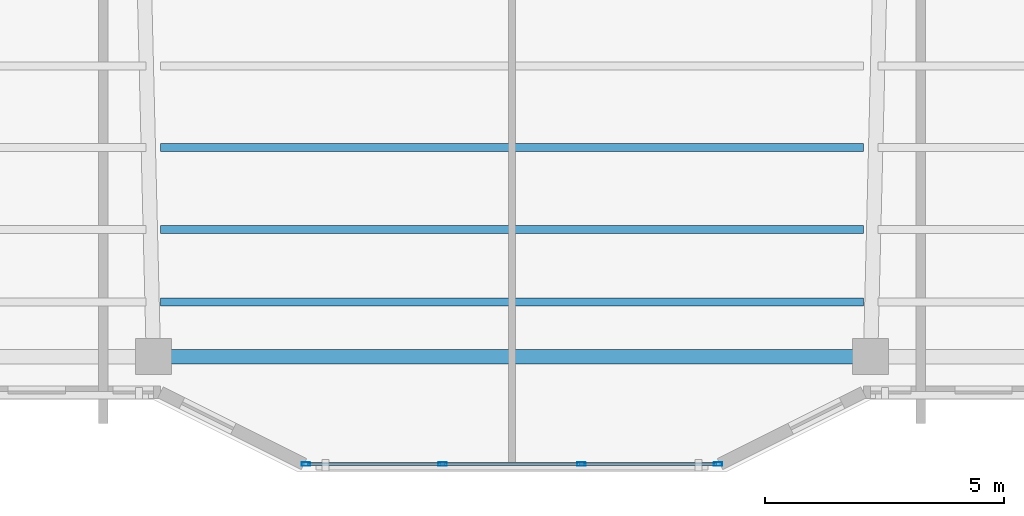
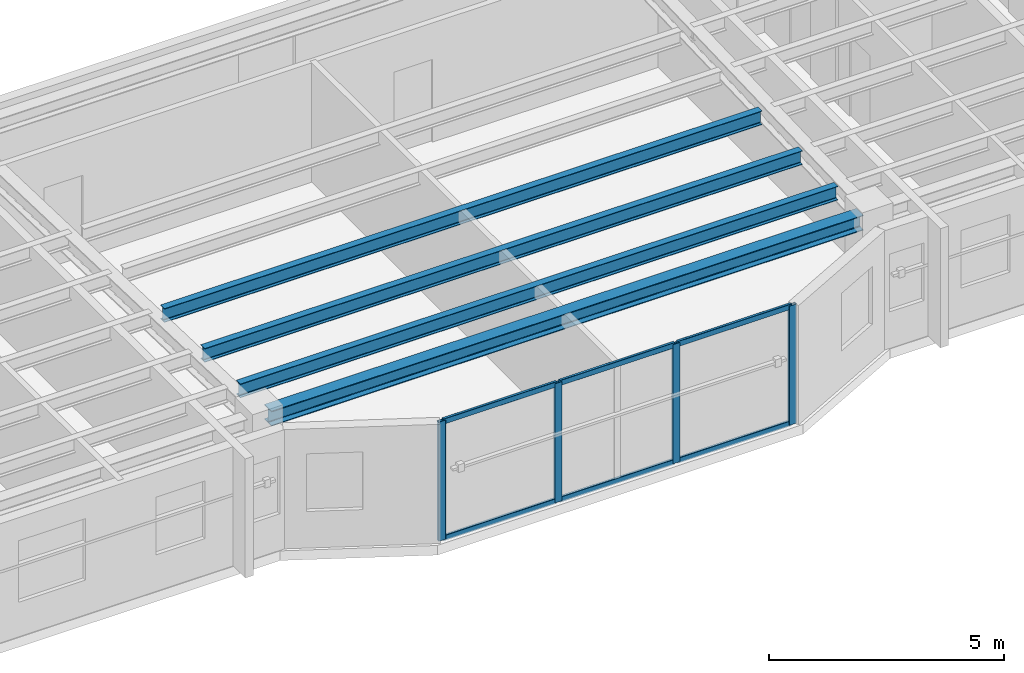
# One storey, part 2 of 13: 10 members, 4 beams, 1 element without a shape of its own.
"""IFC4 building model written with IfcOpenShell, lengths in metres."""

import ifcopenshell
import ifcopenshell.guid

model = None  # the IFC model being written
_history = None  # IfcOwnerHistory: only IFC2X3 demands one
_inside = {}  # id of a spatial element -> (the spatial element, [elements in it])
_under = {}  # id of a project, library or spatial element -> (it, [spatial elements below it])
_declared = {}  # id of a project -> (the project, [libraries it declares])
_typed = {}  # id of a type object -> (the type object, [elements of that type])
_made_of = {}  # id of a material, layer set ... -> (it, [elements and type objects made of it])


def new_model(schema):
    """Start an empty IFC model of exactly this schema.

    Asked for "IFC4X3", IfcOpenShell would pick the latest addendum, in which some entities
    have other attributes; the version numbers below select the first issue.
    IFC2X3 requires an IfcOwnerHistory on every rooted entity: one is made here for all.
    """
    global model, _history
    if schema == "IFC4X3":
        model = ifcopenshell.file(schema_version=(4, 3, 0, 0))
    else:
        model = ifcopenshell.file(schema=schema)
    _inside.clear()
    _under.clear()
    _declared.clear()
    _typed.clear()
    _made_of.clear()
    _history = None
    if model.schema == "IFC2X3":
        org = make("IfcOrganization", Name="unknown")
        user = make(
            "IfcPersonAndOrganization",
            ThePerson=make("IfcPerson", FamilyName="unknown"),
            TheOrganization=org,
        )
        app = make(
            "IfcApplication",
            ApplicationDeveloper=org,
            Version="unknown",
            ApplicationFullName="unknown",
            ApplicationIdentifier="unknown",
        )
        _history = make(
            "IfcOwnerHistory",
            OwningUser=user,
            OwningApplication=app,
            ChangeAction="ADDED",
            CreationDate=0,
        )
    return model


def make(cls, **values):
    """One entity of the class cls with the attributes given. An attribute that is None is left unset."""
    return model.create_entity(
        cls, **{name: value for name, value in values.items() if value is not None}
    )


def rooted(cls, **values):
    """An entity with a GlobalId (a new one), such as an element, a storey or a relation."""
    return make(cls, GlobalId=ifcopenshell.guid.new(), OwnerHistory=_history, **values)


def si_unit(unit_type, name, prefix=None):
    """IfcSIUnit, for example si_unit("LENGTHUNIT", "METRE", prefix="MILLI")."""
    return make("IfcSIUnit", UnitType=unit_type, Prefix=prefix, Name=name)


def assignment(units):
    """IfcUnitAssignment: the units of a project."""
    return None if units is None else make("IfcUnitAssignment", Units=units)


def point(xyz):
    """IfcCartesianPoint."""
    return None if xyz is None else make("IfcCartesianPoint", Coordinates=xyz)


def direction(xyz):
    """IfcDirection."""
    return None if xyz is None else make("IfcDirection", DirectionRatios=xyz)


def frame(location, z_axis=None, x_axis=None):
    """IfcAxis2Placement3D, a coordinate frame: its origin and axes. An axis left out is left unset."""
    return make(
        "IfcAxis2Placement3D",
        Location=point(location),
        Axis=direction(z_axis),
        RefDirection=direction(x_axis),
    )


def frame_2d(location, x_axis=None):
    """IfcAxis2Placement2D, a coordinate frame in the plane: its origin and x axis."""
    return make(
        "IfcAxis2Placement2D", Location=point(location), RefDirection=direction(x_axis)
    )


def origin():
    """The frame at (0, 0, 0) with its axes left unset."""
    return frame((0.0, 0.0, 0.0))


def origin_2d():
    """The frame at (0, 0) in the plane with its x axis left unset."""
    return frame_2d((0.0, 0.0))


def place(relative_to, where):
    """IfcLocalPlacement: puts the frame where relative to a parent placement (None: the world)."""
    return make(
        "IfcLocalPlacement", PlacementRelTo=relative_to, RelativePlacement=where
    )


def context(
    kind, dimensions, precision=None, world=None, true_north=None, identifier=None
):
    """IfcGeometricRepresentationContext, for example the 3D "Model" context."""
    return make(
        "IfcGeometricRepresentationContext",
        ContextIdentifier=identifier,
        ContextType=kind,
        CoordinateSpaceDimension=dimensions,
        Precision=precision,
        WorldCoordinateSystem=world,
        TrueNorth=true_north,
    )


def subcontext(parent, identifier, kind, view, scale=None):
    """IfcGeometricRepresentationSubContext, for example "Body" below "Model"."""
    return make(
        "IfcGeometricRepresentationSubContext",
        ContextIdentifier=identifier,
        ContextType=kind,
        ParentContext=parent,
        TargetScale=scale,
        TargetView=view,
    )


def project(units=None, contexts=None):
    """IfcProject with its units and contexts."""
    return rooted(
        "IfcProject",
        Name="project",
        RepresentationContexts=contexts,
        UnitsInContext=assignment(units),
    )


def spatial(cls, under=None, at=None, **own):
    """A site, building, storey or space (cls), placed at a placement, below another one or the project."""
    s = rooted(cls, ObjectPlacement=at, **own)
    if under is not None:
        _under.setdefault(under.id(), (under, []))[1].append(s)
    return s


def profile(cls, at=None, kind="AREA", **sizes):
    """A parametric profile (cls). Its sizes go by their IFC names, for example OverallWidth=200.0."""
    return make(cls, ProfileType=kind, Position=at, **sizes)


def hollow_rectangle(**sizes):
    """IfcRectangleHollowProfileDef."""
    return profile("IfcRectangleHollowProfileDef", **sizes)


def i_section(**sizes):
    """IfcIShapeProfileDef."""
    return profile("IfcIShapeProfileDef", **sizes)


def extrude(swept, where, along, depth):
    """IfcExtrudedAreaSolid: the profile swept, set in the frame where, extruded along a direction by depth."""
    return make(
        "IfcExtrudedAreaSolid",
        SweptArea=swept,
        Position=where,
        ExtrudedDirection=direction(along),
        Depth=depth,
    )


def shape(context_of_items, identifier, shape_type, items):
    """IfcShapeRepresentation: the items that make up one representation, for example the "Body"."""
    return make(
        "IfcShapeRepresentation",
        ContextOfItems=context_of_items,
        RepresentationIdentifier=identifier,
        RepresentationType=shape_type,
        Items=items,
    )


def material(Name=None, Category=None):
    """IfcMaterial."""
    return make("IfcMaterial", Name=Name, Category=Category)


def layer(
    of_material, thickness, ventilated=None, Name=None, Category=None, Priority=None
):
    """IfcMaterialLayer: one layer of a wall or slab, of a material (None: an air gap)."""
    return make(
        "IfcMaterialLayer",
        Material=of_material,
        LayerThickness=thickness,
        IsVentilated=ventilated,
        Name=Name,
        Category=Category,
        Priority=Priority,
    )


def layer_set(layers, Name=None):
    """IfcMaterialLayerSet."""
    return make("IfcMaterialLayerSet", MaterialLayers=layers, LayerSetName=Name)


def material_profile(
    of_material, cross_section, Name=None, Category=None, Priority=None
):
    """IfcMaterialProfile: a cross section and its material."""
    return make(
        "IfcMaterialProfile",
        Name=Name,
        Material=of_material,
        Profile=cross_section,
        Priority=Priority,
        Category=Category,
    )


def profile_set(profiles, Name=None, composite=None):
    """IfcMaterialProfileSet."""
    return make(
        "IfcMaterialProfileSet",
        Name=Name,
        MaterialProfiles=profiles,
        CompositeProfile=composite,
    )


def made_of(thing, what):
    """Note that an element or type object is made of a material, layer set ...; save() writes the relation."""
    if what is not None:
        _made_of.setdefault(what.id(), (what, []))[1].append(thing)
    return thing


def type_object(cls, material=None, **own):
    """A type object (cls), such as IfcWallType, which elements share."""
    return made_of(rooted(cls, **own), material)


def element(
    cls,
    number,
    at=None,
    inside=None,
    cuts=None,
    type_object=None,
    material=None,
    context=None,
    identifier="Body",
    shape_type=None,
    held_by="IfcProductDefinitionShape",
    body=None,
    shapes=None,
    **own,
):
    """One element of the class cls, such as IfcWall. Its Tag is "e" and its number.

    at: its placement. inside: the storey or other place that contains it. cuts: it is an
    opening in that element (IfcRelVoidsElement). A single representation is given by context,
    identifier, shape_type and body (its items); several are given by shapes. held_by: the class
    of the entity that holds the representations. save() writes the other relations.
    """
    e = rooted(cls, Tag="e%d" % number, ObjectPlacement=at, **own)
    if body is not None:
        shapes = [shape(context, identifier, shape_type, body)]
    if shapes is not None:
        e.Representation = make(held_by, Representations=shapes)
    if inside is not None:
        _inside.setdefault(inside.id(), (inside, []))[1].append(e)
    if cuts is not None:
        rooted(
            "IfcRelVoidsElement", RelatingBuildingElement=cuts, RelatedOpeningElement=e
        )
    if type_object is not None:
        _typed.setdefault(type_object.id(), (type_object, []))[1].append(e)
    return made_of(e, material)


def aggregate(whole, parts):
    """IfcRelAggregates: a whole, such as a stair, and the parts it consists of."""
    return rooted("IfcRelAggregates", RelatingObject=whole, RelatedObjects=parts)


def save(model, path):
    """Write the relations noted so far, then the file.

    IfcRelAggregates (storeys below a building ...), IfcRelContainedInSpatialStructure (elements
    in a storey), IfcRelDefinesByType, IfcRelAssociatesMaterial and IfcRelDeclares: one each for
    every whole, place, type object, material and project.
    """
    for whole, parts in _under.values():
        aggregate(whole, parts)
    for where, things in _inside.values():
        rooted(
            "IfcRelContainedInSpatialStructure",
            RelatedElements=things,
            RelatingStructure=where,
        )
    for kind, things in _typed.values():
        rooted("IfcRelDefinesByType", RelatedObjects=things, RelatingType=kind)
    for what, things in _made_of.values():
        rooted("IfcRelAssociatesMaterial", RelatedObjects=things, RelatingMaterial=what)
    for by, libraries in _declared.values():
        rooted("IfcRelDeclares", RelatingContext=by, RelatedDefinitions=libraries)
    model.write(path)


model = new_model("IFC4")

# Units and contexts
model_context = context("Model", 3, precision=1e-05, world=origin(), true_north=direction((0.0, 1.0)))
body_context = subcontext(model_context, "Body", "Model", "MODEL_VIEW")
ifc_project = project(units=[si_unit("LENGTHUNIT", "METRE"), si_unit("AREAUNIT", "SQUARE_METRE"), si_unit("VOLUMEUNIT", "CUBIC_METRE"), si_unit("PLANEANGLEUNIT", "RADIAN"), si_unit("MASSUNIT", "GRAM", prefix="KILO")], contexts=[model_context])

# Site, building, storey
site_placement = place(None, origin())
site = spatial("IfcSite", under=ifc_project, at=site_placement, CompositionType="ELEMENT")
building_placement = place(site_placement, origin())
building = spatial("IfcBuilding", under=site, at=building_placement, Name="Tarnavaz Court Tower", CompositionType="ELEMENT")
storey_placement = place(building_placement, frame((0.0, 0.0, 193.60009765625)))
storey = spatial("IfcBuildingStorey", under=building, at=storey_placement, Name="L52", CompositionType="ELEMENT", Elevation=193.60009765625)

# Beams
ifc_material_1 = material(Name="Steel S355", Category="steel")
ifc_material_profile_1 = material_profile(ifc_material_1, i_section(OverallWidth=0.169921875, OverallDepth=0.360107421875, WebThickness=0.008056640625, FlangeThickness=0.0126953125, FilletRadius=0.01806640625, at=origin_2d()), Name="IPE 360")
ifc_profile_set_1 = profile_set([ifc_material_profile_1], Name="Steel S355")
beam_type_1 = type_object("IfcBeamType", Name="BM-J-IPE360", PredefinedType="JOIST", material=ifc_profile_set_1)
for number, where, z_axis, x_axis, name in (
    (1, (-7.35009765625, -15.72998046875, 2.919921875), (1.0, 0.0, 0.0), (0.0, 1.0, 0.0), "L52 Beam JS3-2"),
    (2, (-7.35009765625, -17.43994140625, 2.919921875), (1.0, 0.0, 0.0), (0.0, 1.0, 0.0), "L52 Beam JS4-2"),
    (3, (-7.35009765625, -18.9599609375, 2.919921875), (1.0, 0.0, 0.0), (0.0, 1.0, 0.0), "L52 Beam JS5-2"),
):
    element("IfcBeam", number, at=place(storey_placement, frame(where, z_axis=z_axis, x_axis=x_axis)), inside=storey, type_object=beam_type_1, Name=name, PredefinedType="JOIST", context=body_context, shape_type="SweptSolid", body=[
        extrude(i_section(OverallWidth=0.169921875, OverallDepth=0.360107421875, WebThickness=0.008056640625, FlangeThickness=0.0126953125, FilletRadius=0.01806640625, at=origin_2d()), origin(), (0.0, 0.0, 1.0), 14.7001953125),
    ])
ifc_material_profile_2 = material_profile(ifc_material_1, i_section(OverallWidth=0.300048828125, OverallDepth=0.389892578125, WebThickness=0.010986328125, FlangeThickness=0.01904296875, FilletRadius=0.027099609375, at=origin_2d()), Name="HEA 400")
ifc_profile_set_2 = profile_set([ifc_material_profile_2], Name="Steel S355")
beam_type_2 = type_object("IfcBeamType", Name="BM-SP-HEA400", PredefinedType="BEAM", material=ifc_profile_set_2)
beam_placement = place(storey_placement, frame((-7.280029296875, -20.10009765625, 2.90478515625), z_axis=(1.0, 0.0, 0.0), x_axis=(0.0, 1.0, 0.0)))
element("IfcBeam", 4, at=beam_placement, inside=storey, type_object=beam_type_2, Name="L52 Beam PR-PS-2-PS-3", PredefinedType="BEAM", context=body_context, shape_type="SweptSolid", body=[
    extrude(i_section(OverallWidth=0.300048828125, OverallDepth=0.389892578125, WebThickness=0.010986328125, FlangeThickness=0.01904296875, FilletRadius=0.027099609375, at=origin_2d()), origin(), (0.0, 0.0, 1.0), 14.56005859375),
])

# Curtain wall, members
ifc_material_2 = material(Name="Anodised Aluminium 6063-T6 and Solar Low-E Glazing", Category="aluminium")
ifc_layer = layer(ifc_material_2, 0.159912109375)
ifc_layer_set = layer_set([ifc_layer], Name="Anodised Aluminium 6063-T6 and Solar Low-E Glazing")
curtain_wall_type = type_object("IfcCurtainWallType", Name="CW-SYS-03", PredefinedType="NOTDEFINED", material=ifc_layer_set)
curtain_wall_placement = place(storey_placement, origin())
curtain_wall = element("IfcCurtainWall", 5, at=curtain_wall_placement, inside=storey, type_object=curtain_wall_type, Name="L52 Iwan Prow Curtain Wall 17", PredefinedType="NOTDEFINED")
ifc_material_3 = material(Name="Anodised Aluminium 6063-T6", Category="aluminium")
ifc_material_profile_3 = material_profile(ifc_material_3, hollow_rectangle(XDim=0.074951171875, YDim=0.179931640625, WallThickness=0.0048828125, InnerFilletRadius=0.0048828125, OuterFilletRadius=0.010009765625, at=origin_2d()), Name="ALU RHS 180X75X5")
ifc_profile_set_3 = profile_set([ifc_material_profile_3], Name="Anodised Aluminium 6063-T6")
member_type_1 = type_object("IfcMemberType", Name="CW-MUL-180", PredefinedType="MULLION", material=ifc_profile_set_3)
member_1_placement = place(storey_placement, frame((4.3125, -22.35009765625, 0.0), z_axis=(0.0, 0.0, 1.0), x_axis=(0.0, -1.0, 0.0)))
member_1 = element("IfcMember", 6, at=member_1_placement, type_object=member_type_1, Name="CW mullion 1", PredefinedType="MULLION", context=body_context, shape_type="SweptSolid", body=[
    extrude(hollow_rectangle(XDim=0.074951171875, YDim=0.179931640625, WallThickness=0.0048828125, InnerFilletRadius=0.0048828125, OuterFilletRadius=0.010009765625, at=origin_2d()), origin(), (0.0, 0.0, 1.0), 3.099853515625),
])
member_2_placement = place(storey_placement, frame((1.449951171875, -22.35009765625, 0.0), z_axis=(0.0, 0.0, 1.0), x_axis=(0.0, -1.0, 0.0)))
member_2 = element("IfcMember", 7, at=member_2_placement, type_object=member_type_1, Name="CW mullion 2", PredefinedType="MULLION", context=body_context, shape_type="SweptSolid", body=[
    extrude(hollow_rectangle(XDim=0.074951171875, YDim=0.179931640625, WallThickness=0.0048828125, InnerFilletRadius=0.0048828125, OuterFilletRadius=0.010009765625, at=origin_2d()), origin(), (0.0, 0.0, 1.0), 3.099853515625),
])
member_3_placement = place(storey_placement, frame((-1.449951171875, -22.35009765625, 0.0), z_axis=(0.0, 0.0, 1.0), x_axis=(0.0, -1.0, 0.0)))
member_3 = element("IfcMember", 8, at=member_3_placement, type_object=member_type_1, Name="CW mullion 3", PredefinedType="MULLION", context=body_context, shape_type="SweptSolid", body=[
    extrude(hollow_rectangle(XDim=0.074951171875, YDim=0.179931640625, WallThickness=0.0048828125, InnerFilletRadius=0.0048828125, OuterFilletRadius=0.010009765625, at=origin_2d()), origin(), (0.0, 0.0, 1.0), 3.099853515625),
])
member_4_placement = place(storey_placement, frame((-4.3125, -22.35009765625, 0.0), z_axis=(0.0, 0.0, 1.0), x_axis=(0.0, -1.0, 0.0)))
member_4 = element("IfcMember", 9, at=member_4_placement, type_object=member_type_1, Name="CW mullion 4", PredefinedType="MULLION", context=body_context, shape_type="SweptSolid", body=[
    extrude(hollow_rectangle(XDim=0.074951171875, YDim=0.179931640625, WallThickness=0.0048828125, InnerFilletRadius=0.0048828125, OuterFilletRadius=0.010009765625, at=origin_2d()), origin(), (0.0, 0.0, 1.0), 3.099853515625),
])
ifc_material_profile_4 = material_profile(ifc_material_3, hollow_rectangle(XDim=0.06494140625, YDim=0.139892578125, WallThickness=0.00390625, InnerFilletRadius=0.00390625, OuterFilletRadius=0.008056640625, at=origin_2d()), Name="ALU RHS 140X65X4")
ifc_profile_set_4 = profile_set([ifc_material_profile_4], Name="Anodised Aluminium 6063-T6")
member_type_2 = type_object("IfcMemberType", Name="CW-TRN-140", PredefinedType="USERDEFINED", material=ifc_profile_set_4)
member_5_placement = place(storey_placement, frame((4.27490234375, -22.35009765625, 0.032470703125), z_axis=(-1.0, 0.0, 0.0), x_axis=(0.0, -1.0, 0.0)))
member_5 = element("IfcMember", 10, at=member_5_placement, type_object=member_type_2, Name="CW transom 1.1", ObjectType="TRANSOM", PredefinedType="USERDEFINED", context=body_context, shape_type="SweptSolid", body=[
    extrude(hollow_rectangle(XDim=0.06494140625, YDim=0.139892578125, WallThickness=0.00390625, InnerFilletRadius=0.00390625, OuterFilletRadius=0.008056640625, at=origin_2d()), origin(), (0.0, 0.0, 1.0), 2.787353515625),
])
member_6_placement = place(storey_placement, frame((4.27490234375, -22.35009765625, 3.0673828125), z_axis=(-1.0, 0.0, 0.0), x_axis=(0.0, -1.0, 0.0)))
member_6 = element("IfcMember", 11, at=member_6_placement, type_object=member_type_2, Name="CW transom 1.2", ObjectType="TRANSOM", PredefinedType="USERDEFINED", context=body_context, shape_type="SweptSolid", body=[
    extrude(hollow_rectangle(XDim=0.06494140625, YDim=0.139892578125, WallThickness=0.00390625, InnerFilletRadius=0.00390625, OuterFilletRadius=0.008056640625, at=origin_2d()), origin(), (0.0, 0.0, 1.0), 2.787353515625),
])
member_7_placement = place(storey_placement, frame((1.41259765625, -22.35009765625, 0.032470703125), z_axis=(-1.0, 0.0, 0.0), x_axis=(0.0, -1.0, 0.0)))
member_7 = element("IfcMember", 12, at=member_7_placement, type_object=member_type_2, Name="CW transom 2.1", ObjectType="TRANSOM", PredefinedType="USERDEFINED", context=body_context, shape_type="SweptSolid", body=[
    extrude(hollow_rectangle(XDim=0.06494140625, YDim=0.139892578125, WallThickness=0.00390625, InnerFilletRadius=0.00390625, OuterFilletRadius=0.008056640625, at=origin_2d()), origin(), (0.0, 0.0, 1.0), 2.8251953125),
])
member_8_placement = place(storey_placement, frame((1.41259765625, -22.35009765625, 3.0673828125), z_axis=(-1.0, 0.0, 0.0), x_axis=(0.0, -1.0, 0.0)))
member_8 = element("IfcMember", 13, at=member_8_placement, type_object=member_type_2, Name="CW transom 2.2", ObjectType="TRANSOM", PredefinedType="USERDEFINED", context=body_context, shape_type="SweptSolid", body=[
    extrude(hollow_rectangle(XDim=0.06494140625, YDim=0.139892578125, WallThickness=0.00390625, InnerFilletRadius=0.00390625, OuterFilletRadius=0.008056640625, at=origin_2d()), origin(), (0.0, 0.0, 1.0), 2.8251953125),
])
member_9_placement = place(storey_placement, frame((-1.487548828125, -22.35009765625, 0.032470703125), z_axis=(-1.0, 0.0, 0.0), x_axis=(0.0, -1.0, 0.0)))
member_9 = element("IfcMember", 14, at=member_9_placement, type_object=member_type_2, Name="CW transom 3.1", ObjectType="TRANSOM", PredefinedType="USERDEFINED", context=body_context, shape_type="SweptSolid", body=[
    extrude(hollow_rectangle(XDim=0.06494140625, YDim=0.139892578125, WallThickness=0.00390625, InnerFilletRadius=0.00390625, OuterFilletRadius=0.008056640625, at=origin_2d()), origin(), (0.0, 0.0, 1.0), 2.787353515625),
])
member_10_placement = place(storey_placement, frame((-1.487548828125, -22.35009765625, 3.0673828125), z_axis=(-1.0, 0.0, 0.0), x_axis=(0.0, -1.0, 0.0)))
member_10 = element("IfcMember", 15, at=member_10_placement, type_object=member_type_2, Name="CW transom 3.2", ObjectType="TRANSOM", PredefinedType="USERDEFINED", context=body_context, shape_type="SweptSolid", body=[
    extrude(hollow_rectangle(XDim=0.06494140625, YDim=0.139892578125, WallThickness=0.00390625, InnerFilletRadius=0.00390625, OuterFilletRadius=0.008056640625, at=origin_2d()), origin(), (0.0, 0.0, 1.0), 2.787353515625),
])
aggregate(curtain_wall, [member_1, member_2, member_3, member_4, member_5, member_6, member_7, member_8, member_9, member_10])

save(model, "model.ifc")
